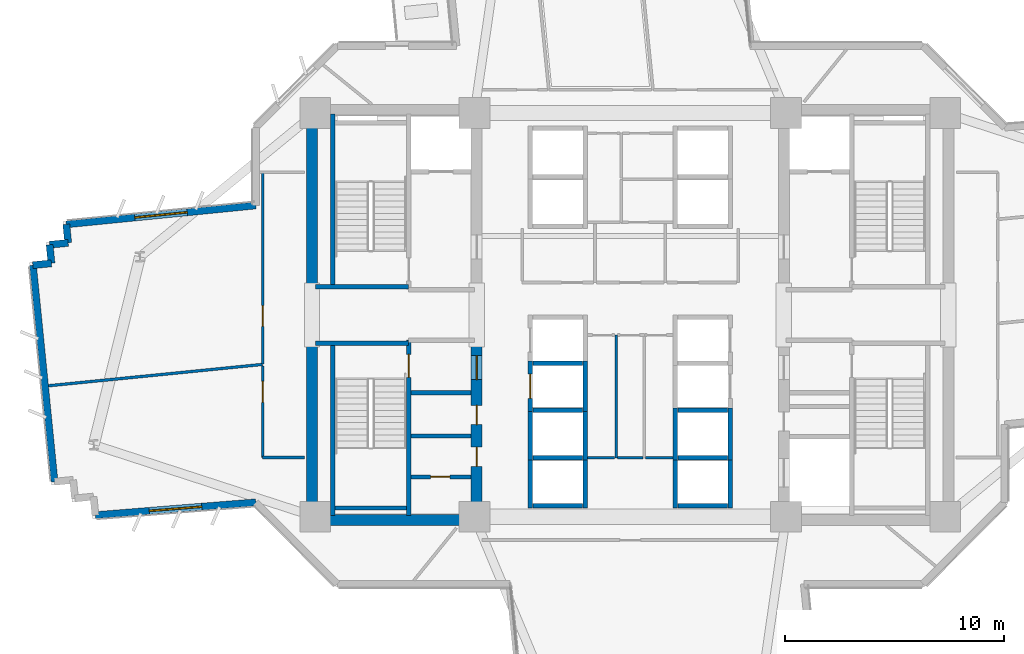
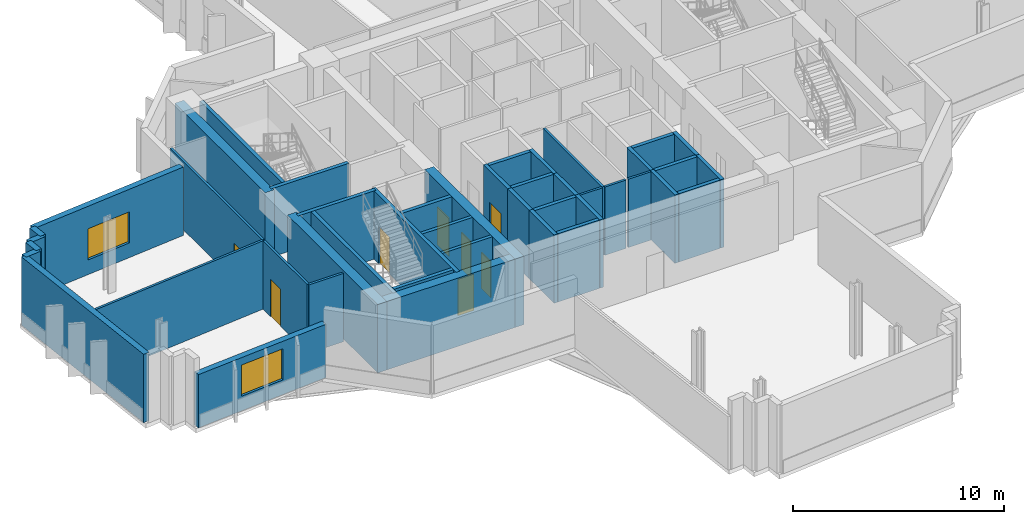
# One storey, part 6 of 14: 45 walls, 8 doors, 2 windows, 10 openings.
"""IFC4 building model written with IfcOpenShell, lengths in metres."""

from ifc_helpers import new_model, si_unit, direction, frame, frame_2d, origin, place, context, subcontext, project, spatial, rectangle, extrude, source, transform, mapped, material, layer, layer_set, type_object, element, fill, save


model = new_model("IFC4")

# Units and contexts
model_context = context("Model", 3, precision=1e-05, world=origin(), true_north=direction((0.0, 1.0)))
body_context = subcontext(model_context, "Body", "Model", "MODEL_VIEW")
ifc_project = project(units=[si_unit("LENGTHUNIT", "METRE"), si_unit("AREAUNIT", "SQUARE_METRE"), si_unit("VOLUMEUNIT", "CUBIC_METRE"), si_unit("PLANEANGLEUNIT", "RADIAN"), si_unit("MASSUNIT", "GRAM", prefix="KILO")], contexts=[model_context])

# Site, building, storey
site_placement = place(None, origin())
site = spatial("IfcSite", under=ifc_project, at=site_placement, CompositionType="ELEMENT")
building_placement = place(site_placement, origin())
building = spatial("IfcBuilding", under=site, at=building_placement, Name="Zahravan Cultural Tower", CompositionType="ELEMENT")
storey_placement = place(building_placement, frame((0.0, 0.0, 96.300048828125)))
storey = spatial("IfcBuildingStorey", under=building, at=storey_placement, Name="L21", CompositionType="ELEMENT", Elevation=96.300048828125)

# Wall, openings, doors
ifc_material_1 = material(Name="Concrete C60/75", Category="concrete")
ifc_layer_1 = layer(ifc_material_1, 0.5)
ifc_layer_set_1 = layer_set([ifc_layer_1], Name="Concrete C60/75")
wall_type_1 = type_object("IfcWallType", Name="CW-SHEAR-500-C60", PredefinedType="SHEAR", material=ifc_layer_set_1)
wall_1_placement = place(storey_placement, frame((29.0, 17.39990234375, 0.0), z_axis=(0.0, 0.0, 1.0), x_axis=(0.0, 1.0, 0.0)))
wall_1 = element("IfcWall", 1, at=wall_1_placement, inside=storey, type_object=wall_type_1, Name="L21 Core Shear Wall CW-W-ES-L21", PredefinedType="SHEAR", context=body_context, shape_type="SweptSolid", body=[
    extrude(rectangle(XDim=8.550048828125, YDim=0.5, at=frame_2d((4.27490234375, 0.0))), origin(), (0.0, 0.0, 1.0), 3.949951171875),
])
opening_1_placement = place(wall_1_placement, frame((6.64990234375, 0.0, 0.0)))
opening_1 = element("IfcOpeningElement", 2, at=opening_1_placement, cuts=wall_1, Name="Opening D-L21-07", PredefinedType="OPENING", context=body_context, shape_type="SweptSolid", body=[
    extrude(rectangle(XDim=1.10009765625, YDim=2.199951171875, at=frame_2d((0.550048828125, 1.10009765625))), frame((0.0, 0.260009765625, 0.0), z_axis=(0.0, -1.0, 0.0), x_axis=(1.0, 0.0, 0.0)), (0.0, 0.0, 1.0), 0.52001953125),
])
opening_2_placement = place(wall_1_placement, frame((2.699951171875, 0.0, 0.0)))
opening_2 = element("IfcOpeningElement", 3, at=opening_2_placement, cuts=wall_1, Name="Opening D-L21-10", PredefinedType="OPENING", context=body_context, shape_type="SweptSolid", body=[
    extrude(rectangle(XDim=0.8798828125, YDim=2.10009765625, at=frame_2d((0.43994140625, 1.050048828125))), frame((0.0, 0.260009765625, 0.0), z_axis=(0.0, -1.0, 0.0), x_axis=(1.0, 0.0, 0.0)), (0.0, 0.0, 1.0), 0.52001953125),
])
opening_3_placement = place(wall_1_placement, frame((4.60009765625, 0.0, 0.0)))
opening_3 = element("IfcOpeningElement", 4, at=opening_3_placement, cuts=wall_1, Name="Opening D-L21-11", PredefinedType="OPENING", context=body_context, shape_type="SweptSolid", body=[
    extrude(rectangle(XDim=0.8798828125, YDim=2.10009765625, at=frame_2d((0.43994140625, 1.050048828125))), frame((0.0, 0.260009765625, 0.0), z_axis=(0.0, -1.0, 0.0), x_axis=(1.0, 0.0, 0.0)), (0.0, 0.0, 1.0), 0.52001953125),
])
ifc_material_2 = material(Name="Steel ASTM A572 Grade 50", Category="steel")
door_type_1 = type_object("IfcDoorType", Name="DR-LOBBY-1100", OperationType="NOTDEFINED", PredefinedType="DOOR", material=ifc_material_2)
shared_shape_1 = source(origin(), body_context, "Body", "SweptSolid", [
    extrude(rectangle(XDim=1.10009765625, YDim=2.199951171875, at=frame_2d((0.550048828125, 1.10009765625))), frame((0.0, 0.02490234375, 0.0), z_axis=(0.0, -1.0, 0.0), x_axis=(1.0, 0.0, 0.0)), (0.0, 0.0, 1.0), 0.050048828125),
])
door_1_placement = place(opening_1_placement, origin())
door_1 = element("IfcDoor", 5, at=door_1_placement, inside=storey, type_object=door_type_1, Name="L21 Door D-L21-07", OperationType="SINGLE_SWING_RIGHT", OverallHeight=2.199951171875, OverallWidth=1.10009765625, PredefinedType="DOOR", context=body_context, shape_type="MappedRepresentation", body=[
    mapped(shared_shape_1, transform((0.0, 0.0, 0.0), x_axis=(1.0, 0.0, 0.0), y_axis=(0.0, 1.0, 0.0), z_axis=(0.0, 0.0, 1.0), scale=1.0)),
])
fill(opening_1, door_1)
door_type_2 = type_object("IfcDoorType", Name="DR-SVC-880", OperationType="NOTDEFINED", PredefinedType="DOOR", material=ifc_material_2)
shared_shape_2 = source(origin(), body_context, "Body", "SweptSolid", [
    extrude(rectangle(XDim=0.8798828125, YDim=2.10009765625, at=frame_2d((0.43994140625, 1.050048828125))), frame((0.0, 0.02490234375, 0.0), z_axis=(0.0, -1.0, 0.0), x_axis=(1.0, 0.0, 0.0)), (0.0, 0.0, 1.0), 0.050048828125),
])
door_2_placement = place(opening_2_placement, origin())
door_2 = element("IfcDoor", 6, at=door_2_placement, inside=storey, type_object=door_type_2, Name="L21 Door D-L21-10", OperationType="SINGLE_SWING_LEFT", OverallHeight=2.10009765625, OverallWidth=0.8798828125, PredefinedType="DOOR", context=body_context, shape_type="MappedRepresentation", body=[
    mapped(shared_shape_2, transform((0.0, 0.0, 0.0), x_axis=(1.0, 0.0, 0.0), y_axis=(0.0, 1.0, 0.0), z_axis=(0.0, 0.0, 1.0), scale=1.0)),
])
fill(opening_2, door_2)
door_3_placement = place(opening_3_placement, origin())
door_3 = element("IfcDoor", 7, at=door_3_placement, inside=storey, type_object=door_type_2, Name="L21 Door D-L21-11", OperationType="SINGLE_SWING_RIGHT", OverallHeight=2.10009765625, OverallWidth=0.8798828125, PredefinedType="DOOR", context=body_context, shape_type="MappedRepresentation", body=[
    mapped(shared_shape_2, transform((0.0, 0.0, 0.0), x_axis=(1.0, 0.0, 0.0), y_axis=(0.0, 1.0, 0.0), z_axis=(0.0, 0.0, 1.0), scale=1.0)),
])
fill(opening_3, door_3)

# Wall, opening, window
ifc_material_3 = material(Name="Precast concrete C40/50", Category="concrete")
ifc_layer_2 = layer(ifc_material_3, 0.320068359375)
ifc_layer_set_2 = layer_set([ifc_layer_2], Name="Precast concrete C40/50")
wall_type_2 = type_object("IfcWallType", Name="EW-TC-320", PredefinedType="SOLIDWALL", material=ifc_layer_set_2)
wall_2_placement = place(storey_placement, frame((18.93994140625, 18.4580078125, 0.0), z_axis=(0.0, 0.0, 1.0), x_axis=(-0.996827539556, -0.079591811023, 0.0)))
wall_2 = element("IfcWall", 8, at=wall_2_placement, inside=storey, type_object=wall_type_2, Name="L21 Exterior Masonry Frame Wall 01", PredefinedType="SOLIDWALL", context=body_context, shape_type="SweptSolid", body=[
    extrude(rectangle(XDim=7.337158203125, YDim=0.320068359375, at=frame_2d((3.66845703125, 0.0))), origin(), (0.0, 0.0, 1.0), 3.079833984375),
])
opening_4_placement = place(wall_2_placement, frame((2.468994140625, 0.0, 0.85009765625)))
opening_4 = element("IfcOpeningElement", 9, at=opening_4_placement, cuts=wall_2, Name="Opening WN-01", PredefinedType="OPENING", context=body_context, shape_type="SweptSolid", body=[
    extrude(rectangle(XDim=2.39990234375, YDim=1.800048828125, at=frame_2d((1.199951171875, 0.89990234375))), frame((0.0, 0.169921875, 0.0), z_axis=(0.0, -1.0, 0.0), x_axis=(1.0, 0.0, 0.0)), (0.0, 0.0, 1.0), 0.340087890625),
])
ifc_material_4 = material(Name="Low-E solar-control double glazing", Category="glass")
window_type = type_object("IfcWindowType", Name="WN-REC-2400X1800", PartitioningType="DOUBLE_PANEL_VERTICAL", PredefinedType="WINDOW", material=ifc_material_4)
shared_shape_3 = source(origin(), body_context, "Body", "SweptSolid", [
    extrude(rectangle(XDim=2.39990234375, YDim=1.800048828125, at=frame_2d((1.199951171875, 0.89990234375))), frame((0.0, 0.030029296875, 0.0), z_axis=(0.0, -1.0, 0.0), x_axis=(1.0, 0.0, 0.0)), (0.0, 0.0, 1.0), 0.06005859375),
])
window_1_placement = place(opening_4_placement, origin())
window_1 = element("IfcWindow", 10, at=window_1_placement, inside=storey, type_object=window_type, Name="L21 Recessed Solar Window 01", OverallHeight=1.800048828125, OverallWidth=2.39990234375, PartitioningType="DOUBLE_PANEL_VERTICAL", PredefinedType="WINDOW", context=body_context, shape_type="MappedRepresentation", body=[
    mapped(shared_shape_3, transform((0.0, 0.0, 0.0), x_axis=(1.0, 0.0, 0.0), y_axis=(0.0, 1.0, 0.0), z_axis=(0.0, 0.0, 1.0), scale=1.0)),
])
fill(opening_4, window_1)

wall_3_placement = place(storey_placement, frame((10.302978515625, 31.128173828125, 0.0), z_axis=(0.0, 0.0, 1.0), x_axis=(0.995055831351, 0.099317130918, 0.0)))
wall_3 = element("IfcWall", 11, at=wall_3_placement, inside=storey, type_object=wall_type_2, Name="L21 Exterior Masonry Frame Wall 11", PredefinedType="SOLIDWALL", context=body_context, shape_type="SweptSolid", body=[
    extrude(rectangle(XDim=8.679931640625, YDim=0.320068359375, at=frame_2d((4.33984375, 0.0))), origin(), (0.0, 0.0, 1.0), 3.949951171875),
])
opening_5_placement = place(wall_3_placement, frame((3.139892578125, 0.0, 0.85009765625)))
opening_5 = element("IfcOpeningElement", 12, at=opening_5_placement, cuts=wall_3, Name="Opening WN-01", PredefinedType="OPENING", context=body_context, shape_type="SweptSolid", body=[
    extrude(rectangle(XDim=2.39990234375, YDim=1.800048828125, at=frame_2d((1.199951171875, 0.89990234375))), frame((0.0, 0.169921875, 0.0), z_axis=(0.0, -1.0, 0.0), x_axis=(1.0, 0.0, 0.0)), (0.0, 0.0, 1.0), 0.340087890625),
])
window_2_placement = place(opening_5_placement, origin())
window_2 = element("IfcWindow", 13, at=window_2_placement, inside=storey, type_object=window_type, Name="L21 Recessed Solar Window 02", OverallHeight=1.800048828125, OverallWidth=2.39990234375, PartitioningType="DOUBLE_PANEL_VERTICAL", PredefinedType="WINDOW", context=body_context, shape_type="MappedRepresentation", body=[
    mapped(shared_shape_3, transform((0.0, 0.0, 0.0), x_axis=(1.0, 0.0, 0.0), y_axis=(0.0, 1.0, 0.0), z_axis=(0.0, 0.0, 1.0), scale=1.0)),
])
fill(opening_5, window_2)

# Wall, opening, door
ifc_material_5 = material(Name="Gypsum plasterboard partition")
ifc_layer_3 = layer(ifc_material_5, 0.179931640625)
ifc_layer_set_3 = layer_set([ifc_layer_3], Name="Gypsum plasterboard partition")
wall_type_3 = type_object("IfcWallType", Name="W-COMP-180", PredefinedType="PARTITIONING", material=ifc_layer_set_3)
wall_4_placement = place(storey_placement, frame((26.0, 19.6201171875, 0.0), z_axis=(0.0, 0.0, 1.0), x_axis=(1.0, 0.0, 0.0)))
wall_4 = element("IfcWall", 14, at=wall_4_placement, inside=storey, type_object=wall_type_3, Name="L21 Interior Wall 026", PredefinedType="PARTITIONING", context=body_context, shape_type="SweptSolid", body=[
    extrude(rectangle(XDim=2.75, YDim=0.179931640625, at=frame_2d((1.375, 0.0))), origin(), (0.0, 0.0, 1.0), 3.949951171875),
])
opening_6_placement = place(wall_4_placement, frame((0.89990234375, 0.0, 0.0)))
opening_6 = element("IfcOpeningElement", 15, at=opening_6_placement, cuts=wall_4, Name="Opening D-L21-09", PredefinedType="OPENING", context=body_context, shape_type="SweptSolid", body=[
    extrude(rectangle(XDim=0.8798828125, YDim=2.10009765625, at=frame_2d((0.43994140625, 1.050048828125))), frame((0.0, 0.099853515625, 0.0), z_axis=(0.0, -1.0, 0.0), x_axis=(1.0, 0.0, 0.0)), (0.0, 0.0, 1.0), 0.199951171875),
])
door_4_placement = place(opening_6_placement, origin())
door_4 = element("IfcDoor", 16, at=door_4_placement, inside=storey, type_object=door_type_2, Name="L21 Door D-L21-09", OperationType="SINGLE_SWING_RIGHT", OverallHeight=2.10009765625, OverallWidth=0.8798828125, PredefinedType="DOOR", context=body_context, shape_type="MappedRepresentation", body=[
    mapped(shared_shape_2, transform((0.0, 0.0, 0.0), x_axis=(1.0, 0.0, 0.0), y_axis=(0.0, 1.0, 0.0), z_axis=(0.0, 0.0, 1.0), scale=1.0)),
])
fill(opening_6, door_4)

ifc_layer_4 = layer(ifc_material_5, 0.125)
ifc_layer_set_4 = layer_set([ifc_layer_4], Name="Gypsum plasterboard partition")
wall_type_4 = type_object("IfcWallType", Name="W-PART-125", PredefinedType="PARTITIONING", material=ifc_layer_set_4)
wall_5_placement = place(storey_placement, frame((19.25, 24.677490234375, 0.0), z_axis=(0.0, 0.0, 1.0), x_axis=(0.000116979586, -0.999999993158, 0.0)))
wall_5 = element("IfcWall", 17, at=wall_5_placement, inside=storey, type_object=wall_type_4, Name="L21 Interior Wall 108", PredefinedType="PARTITIONING", context=body_context, shape_type="SweptSolid", body=[
    extrude(rectangle(XDim=4.174072265625, YDim=0.125, at=frame_2d((2.0869140625, 0.0))), origin(), (0.0, 0.0, 1.0), 3.949951171875),
])
opening_7_placement = place(wall_5_placement, frame((0.709228515625, 0.0, 0.0)))
opening_7 = element("IfcOpeningElement", 18, at=opening_7_placement, cuts=wall_5, Name="Opening D-L21-28", PredefinedType="OPENING", context=body_context, shape_type="SweptSolid", body=[
    extrude(rectangle(XDim=0.949951171875, YDim=2.14990234375, at=frame_2d((0.47509765625, 1.074951171875))), frame((0.0, 0.072509765625, 0.0), z_axis=(0.0, -1.0, 0.0), x_axis=(1.0, 0.0, 0.0)), (0.0, 0.0, 1.0), 0.14501953125),
])
ifc_material_6 = material(Name="Anodised bronze-aluminium mullion", Category="aluminium")
door_type_3 = type_object("IfcDoorType", Name="DR-ROOM-950", OperationType="NOTDEFINED", PredefinedType="DOOR", material=ifc_material_6)
shared_shape_4 = source(origin(), body_context, "Body", "SweptSolid", [
    extrude(rectangle(XDim=0.949951171875, YDim=2.14990234375, at=frame_2d((0.47509765625, 1.074951171875))), frame((0.0, 0.02490234375, 0.0), z_axis=(0.0, -1.0, 0.0), x_axis=(1.0, 0.0, 0.0)), (0.0, 0.0, 1.0), 0.050048828125),
])
door_5_placement = place(opening_7_placement, origin())
door_5 = element("IfcDoor", 19, at=door_5_placement, inside=storey, type_object=door_type_3, Name="L21 Door D-L21-28", OperationType="SINGLE_SWING_LEFT", OverallHeight=2.14990234375, OverallWidth=0.949951171875, PredefinedType="DOOR", context=body_context, shape_type="MappedRepresentation", body=[
    mapped(shared_shape_4, transform((0.0, 0.0, 0.0), x_axis=(1.0, 0.0, 0.0), y_axis=(0.0, 1.0, 0.0), z_axis=(0.0, 0.0, 1.0), scale=1.0)),
])
fill(opening_7, door_5)

wall_6_placement = place(storey_placement, frame((19.252685546875, 33.497314453125, 0.0), z_axis=(0.0, 0.0, 1.0), x_axis=(-0.000307554646, -0.999999952705, 0.0)))
wall_6 = element("IfcWall", 20, at=wall_6_placement, inside=storey, type_object=wall_type_4, Name="L21 Interior Wall 112", PredefinedType="PARTITIONING", context=body_context, shape_type="SweptSolid", body=[
    extrude(rectangle(XDim=8.73193359375, YDim=0.125, at=frame_2d((4.365966796875, 0.0))), origin(), (0.0, 0.0, 1.0), 3.949951171875),
])
opening_8_placement = place(wall_6_placement, frame((6.06982421875, 0.0, 0.0)))
opening_8 = element("IfcOpeningElement", 21, at=opening_8_placement, cuts=wall_6, Name="Opening D-L21-27", PredefinedType="OPENING", context=body_context, shape_type="SweptSolid", body=[
    extrude(rectangle(XDim=0.949951171875, YDim=2.14990234375, at=frame_2d((0.47509765625, 1.074951171875))), frame((0.0, 0.072509765625, 0.0), z_axis=(0.0, -1.0, 0.0), x_axis=(1.0, 0.0, 0.0)), (0.0, 0.0, 1.0), 0.14501953125),
])
door_6_placement = place(opening_8_placement, origin())
door_6 = element("IfcDoor", 22, at=door_6_placement, inside=storey, type_object=door_type_3, Name="L21 Door D-L21-27", OperationType="SINGLE_SWING_RIGHT", OverallHeight=2.14990234375, OverallWidth=0.949951171875, PredefinedType="DOOR", context=body_context, shape_type="MappedRepresentation", body=[
    mapped(shared_shape_4, transform((0.0, 0.0, 0.0), x_axis=(1.0, 0.0, 0.0), y_axis=(0.0, 1.0, 0.0), z_axis=(0.0, 0.0, 1.0), scale=1.0)),
])
fill(opening_8, door_6)

ifc_material_7 = material(Name="Concrete C45/55", Category="concrete")
ifc_layer_5 = layer(ifc_material_7, 0.199951171875)
ifc_layer_set_5 = layer_set([ifc_layer_5], Name="Concrete C45/55")
wall_type_5 = type_object("IfcWallType", Name="W-SHAFT-200", PredefinedType="SOLIDWALL", material=ifc_layer_set_5)
wall_7_placement = place(storey_placement, frame((25.89990234375, 17.85009765625, 0.0), z_axis=(0.0, 0.0, 1.0), x_axis=(0.0, 1.0, 0.0)))
wall_7 = element("IfcWall", 23, at=wall_7_placement, inside=storey, type_object=wall_type_5, Name="L21 Interior Wall 005", PredefinedType="SOLIDWALL", context=body_context, shape_type="SweptSolid", body=[
    extrude(rectangle(XDim=8.0, YDim=0.199951171875, at=frame_2d((4.0, 0.0))), origin(), (0.0, 0.0, 1.0), 3.949951171875),
])
opening_9_placement = place(wall_7_placement, frame((6.300048828125, 0.0, 0.0)))
opening_9 = element("IfcOpeningElement", 24, at=opening_9_placement, cuts=wall_7, Name="Opening D-L21-04", PredefinedType="OPENING", context=body_context, shape_type="SweptSolid", body=[
    extrude(rectangle(XDim=1.050048828125, YDim=2.14990234375, at=frame_2d((0.52490234375, 1.074951171875))), frame((0.0, 0.10986328125, 0.0), z_axis=(0.0, -1.0, 0.0), x_axis=(1.0, 0.0, 0.0)), (0.0, 0.0, 1.0), 0.219970703125),
])
door_type_4 = type_object("IfcDoorType", Name="DR-STAIR-1050", OperationType="NOTDEFINED", PredefinedType="DOOR", material=ifc_material_2)
shared_shape_5 = source(origin(), body_context, "Body", "SweptSolid", [
    extrude(rectangle(XDim=1.050048828125, YDim=2.14990234375, at=frame_2d((0.52490234375, 1.074951171875))), frame((0.0, 0.02490234375, 0.0), z_axis=(0.0, -1.0, 0.0), x_axis=(1.0, 0.0, 0.0)), (0.0, 0.0, 1.0), 0.050048828125),
])
door_7_placement = place(opening_9_placement, origin())
door_7 = element("IfcDoor", 25, at=door_7_placement, inside=storey, type_object=door_type_4, Name="L21 Door D-L21-04", OperationType="SINGLE_SWING_LEFT", OverallHeight=2.14990234375, OverallWidth=1.050048828125, PredefinedType="DOOR", context=body_context, shape_type="MappedRepresentation", body=[
    mapped(shared_shape_5, transform((0.0, 0.0, 0.0), x_axis=(1.0, 0.0, 0.0), y_axis=(0.0, 1.0, 0.0), z_axis=(0.0, 0.0, 1.0), scale=1.0)),
])
fill(opening_9, door_7)

wall_8_placement = place(storey_placement, frame((31.449951171875, 22.60009765625, 0.0), z_axis=(0.0, 0.0, 1.0), x_axis=(0.0, 1.0, 0.0)))
wall_8 = element("IfcWall", 26, at=wall_8_placement, inside=storey, type_object=wall_type_5, Name="L21 Interior Wall 061", PredefinedType="SOLIDWALL", context=body_context, shape_type="SweptSolid", body=[
    extrude(rectangle(XDim=2.2998046875, YDim=0.199951171875, at=frame_2d((1.14990234375, 0.0))), origin(), (0.0, 0.0, 1.0), 3.949951171875),
])
opening_10_placement = place(wall_8_placement, frame((0.60009765625, 0.0, 0.0)))
opening_10 = element("IfcOpeningElement", 27, at=opening_10_placement, cuts=wall_8, Name="Opening LD-L21-05", PredefinedType="OPENING", context=body_context, shape_type="SweptSolid", body=[
    extrude(rectangle(XDim=1.10009765625, YDim=2.14990234375, at=frame_2d((0.550048828125, 1.074951171875))), frame((0.0, 0.10986328125, 0.0), z_axis=(0.0, -1.0, 0.0), x_axis=(1.0, 0.0, 0.0)), (0.0, 0.0, 1.0), 0.219970703125),
])
door_type_5 = type_object("IfcDoorType", Name="DR-LIFT-1100", OperationType="DOUBLE_DOOR_SLIDING", PredefinedType="DOOR", material=ifc_material_2)
shared_shape_6 = source(origin(), body_context, "Body", "SweptSolid", [
    extrude(rectangle(XDim=1.10009765625, YDim=2.14990234375, at=frame_2d((0.550048828125, 1.074951171875))), frame((0.0, 0.02490234375, 0.0), z_axis=(0.0, -1.0, 0.0), x_axis=(1.0, 0.0, 0.0)), (0.0, 0.0, 1.0), 0.050048828125),
])
door_8_placement = place(opening_10_placement, origin())
door_8 = element("IfcDoor", 28, at=door_8_placement, inside=storey, type_object=door_type_5, Name="L21 Door LD-L21-05", OperationType="DOUBLE_DOOR_SLIDING", OverallHeight=2.14990234375, OverallWidth=1.10009765625, PredefinedType="DOOR", context=body_context, shape_type="MappedRepresentation", body=[
    mapped(shared_shape_6, transform((0.0, 0.0, 0.0), x_axis=(1.0, 0.0, 0.0), y_axis=(0.0, 1.0, 0.0), z_axis=(0.0, 0.0, 1.0), scale=1.0)),
])
fill(opening_10, door_8)

# Walls
shared_shape_7 = source(origin(), body_context, "Body", "SweptSolid", [
    extrude(rectangle(XDim=8.550048828125, YDim=0.5, at=frame_2d((4.27490234375, 0.0))), origin(), (0.0, 0.0, 1.0), 3.949951171875),
])
for number, where, z_axis, x_axis, name in (
    (29, (21.5, 17.39990234375, 0.0), (0.0, 0.0, 1.0), (0.0, 1.0, 0.0), "L21 Core Shear Wall CW-W-WS-L21"),
    (30, (21.5, 28.050048828125, 0.0), (0.0, 0.0, 1.0), (0.0, 1.0, 0.0), "L21 Core Shear Wall CW-W-WN-L21"),
):
    element("IfcWall", number, at=place(storey_placement, frame(where, z_axis=z_axis, x_axis=x_axis)), inside=storey, type_object=wall_type_1, Name=name, PredefinedType="SHEAR", context=body_context, shape_type="MappedRepresentation", body=[
        mapped(shared_shape_7, transform((0.0, 0.0, 0.0), x_axis=(1.0, 0.0, 0.0), y_axis=(0.0, 1.0, 0.0), z_axis=(0.0, 0.0, 1.0), scale=1.0)),
    ])
shared_shape_8 = source(origin(), body_context, "Body", "SweptSolid", [
    extrude(rectangle(XDim=7.0, YDim=0.5, at=frame_2d((3.5, 0.0))), origin(), (0.0, 0.0, 1.0), 3.949951171875),
])
wall_9_placement = place(storey_placement, frame((21.75, 17.64990234375, 0.0), z_axis=(0.0, 0.0, 1.0), x_axis=(1.0, 0.0, 0.0)))
element("IfcWall", 31, at=wall_9_placement, inside=storey, type_object=wall_type_1, Name="L21 Core Shear Wall CW-W-S-L21", PredefinedType="SHEAR", context=body_context, shape_type="MappedRepresentation", body=[
    mapped(shared_shape_8, transform((0.0, 0.0, 0.0), x_axis=(1.0, 0.0, 0.0), y_axis=(0.0, 1.0, 0.0), z_axis=(0.0, 0.0, 1.0), scale=1.0)),
])
shared_shape_9 = source(origin(), body_context, "Body", "SweptSolid", [
    extrude(rectangle(XDim=0.849853515625, YDim=0.320068359375, at=frame_2d((0.4248046875, 0.0))), origin(), (0.0, 0.0, 1.0), 3.949951171875),
])
for number, where, z_axis, x_axis, name in (
    (32, (8.7802734375, 29.267822265625, 0.0), (0.0, 0.0, 1.0), (0.995048560111, 0.09938995433, 0.0), "L21 Exterior Masonry Frame Wall 07"),
    (33, (9.6259765625, 29.352294921875, 0.0), (0.0, 0.0, 1.0), (-0.09938995433, 0.995048560111, 0.0), "L21 Exterior Masonry Frame Wall 08"),
    (34, (9.54150390625, 30.197998046875, 0.0), (0.0, 0.0, 1.0), (0.995048560111, 0.09938995433, 0.0), "L21 Exterior Masonry Frame Wall 09"),
    (35, (10.38720703125, 30.282470703125, 0.0), (0.0, 0.0, 1.0), (-0.099105525559, 0.995076929088, 0.0), "L21 Exterior Masonry Frame Wall 10"),
):
    element("IfcWall", number, at=place(storey_placement, frame(where, z_axis=z_axis, x_axis=x_axis)), inside=storey, type_object=wall_type_2, Name=name, PredefinedType="SOLIDWALL", context=body_context, shape_type="MappedRepresentation", body=[
        mapped(shared_shape_9, transform((0.0, 0.0, 0.0), x_axis=(1.0, 0.0, 0.0), y_axis=(0.0, 1.0, 0.0), z_axis=(0.0, 0.0, 1.0), scale=1.0)),
    ])
shared_shape_10 = source(origin(), body_context, "Body", "SweptSolid", [
    extrude(rectangle(XDim=9.920166015625, YDim=0.320068359375, at=frame_2d((4.9599609375, 0.0))), origin(), (0.0, 0.0, 1.0), 3.949951171875),
])
wall_10_placement = place(storey_placement, frame((9.765380859375, 19.396728515625, 0.0), z_axis=(0.0, 0.0, 1.0), x_axis=(-0.099303907908, 0.995057151059, 0.0)))
element("IfcWall", 36, at=wall_10_placement, inside=storey, type_object=wall_type_2, Name="L21 Exterior Masonry Frame Wall 06", PredefinedType="SOLIDWALL", context=body_context, shape_type="MappedRepresentation", body=[
    mapped(shared_shape_10, transform((0.0, 0.0, 0.0), x_axis=(1.0, 0.0, 0.0), y_axis=(0.0, 1.0, 0.0), z_axis=(0.0, 0.0, 1.0), scale=1.0)),
])
shared_shape_11 = source(origin(), body_context, "Body", "SweptSolid", [
    extrude(rectangle(XDim=7.869873046875, YDim=0.199951171875, at=frame_2d((3.93505859375, 0.0))), origin(), (0.0, 0.0, 1.0), 3.949951171875),
])
for number, where, z_axis, x_axis, name in (
    (37, (22.449951171875, 17.85009765625, 0.0), (0.0, 0.0, 1.0), (0.0, 1.0, 0.0), "L21 Interior Wall 001"),
    (38, (22.449951171875, 28.280029296875, 0.0), (0.0, 0.0, 1.0), (0.0, 1.0, 0.0), "L21 Interior Wall 002"),
):
    element("IfcWall", number, at=place(storey_placement, frame(where, z_axis=z_axis, x_axis=x_axis)), inside=storey, type_object=wall_type_5, Name=name, PredefinedType="SOLIDWALL", context=body_context, shape_type="MappedRepresentation", body=[
        mapped(shared_shape_11, transform((0.0, 0.0, 0.0), x_axis=(1.0, 0.0, 0.0), y_axis=(0.0, 1.0, 0.0), z_axis=(0.0, 0.0, 1.0), scale=1.0)),
    ])
shared_shape_12 = source(origin(), body_context, "Body", "SweptSolid", [
    extrude(rectangle(XDim=4.25, YDim=0.199951171875, at=frame_2d((2.125, 0.0))), origin(), (0.0, 0.0, 1.0), 3.949951171875),
])
for number, where, z_axis, x_axis, name in (
    (39, (21.64990234375, 25.715087890625, 0.0), (0.0, 0.0, 1.0), (1.0, 0.0, 0.0), "L21 Interior Wall 009"),
    (40, (21.64990234375, 28.284912109375, 0.0), (0.0, 0.0, 1.0), (1.0, 0.0, 0.0), "L21 Interior Wall 011"),
):
    element("IfcWall", number, at=place(storey_placement, frame(where, z_axis=z_axis, x_axis=x_axis)), inside=storey, type_object=wall_type_5, Name=name, PredefinedType="SOLIDWALL", context=body_context, shape_type="MappedRepresentation", body=[
        mapped(shared_shape_12, transform((0.0, 0.0, 0.0), x_axis=(1.0, 0.0, 0.0), y_axis=(0.0, 1.0, 0.0), z_axis=(0.0, 0.0, 1.0), scale=1.0)),
    ])
shared_shape_13 = source(origin(), body_context, "Body", "SweptSolid", [
    extrude(rectangle(XDim=3.25, YDim=0.199951171875, at=frame_2d((1.625, 0.0))), origin(), (0.0, 0.0, 1.0), 3.949951171875),
])
wall_11_placement = place(storey_placement, frame((22.550048828125, 18.199951171875, 0.0), z_axis=(0.0, 0.0, 1.0), x_axis=(1.0, 0.0, 0.0)))
element("IfcWall", 41, at=wall_11_placement, inside=storey, type_object=wall_type_5, Name="L21 Interior Wall 019", PredefinedType="SOLIDWALL", context=body_context, shape_type="MappedRepresentation", body=[
    mapped(shared_shape_13, transform((0.0, 0.0, 0.0), x_axis=(1.0, 0.0, 0.0), y_axis=(0.0, 1.0, 0.0), z_axis=(0.0, 0.0, 1.0), scale=1.0)),
])
shared_shape_14 = source(origin(), body_context, "Body", "SweptSolid", [
    extrude(rectangle(XDim=2.75, YDim=0.199951171875, at=frame_2d((1.375, 0.0))), origin(), (0.0, 0.0, 1.0), 3.949951171875),
])
wall_12_placement = place(storey_placement, frame((26.0, 23.449951171875, 0.0), z_axis=(0.0, 0.0, 1.0), x_axis=(1.0, 0.0, 0.0)))
element("IfcWall", 42, at=wall_12_placement, inside=storey, type_object=wall_type_5, Name="L21 Interior Wall 023", PredefinedType="SOLIDWALL", context=body_context, shape_type="MappedRepresentation", body=[
    mapped(shared_shape_14, transform((0.0, 0.0, 0.0), x_axis=(1.0, 0.0, 0.0), y_axis=(0.0, 1.0, 0.0), z_axis=(0.0, 0.0, 1.0), scale=1.0)),
])
shared_shape_15 = source(origin(), body_context, "Body", "SweptSolid", [
    extrude(rectangle(XDim=2.260009765625, YDim=0.199951171875, at=frame_2d((1.1298828125, 0.0))), origin(), (0.0, 0.0, 1.0), 3.949951171875),
])
for number, where, z_axis, x_axis, name in (
    (43, (31.570068359375, 20.5, 0.0), (0.0, 0.0, 1.0), (1.0, 0.0, 0.0), "L21 Interior Wall 045"),
    (44, (31.570068359375, 22.64990234375, 0.0), (0.0, 0.0, 1.0), (1.0, 0.0, 0.0), "L21 Interior Wall 046"),
    (45, (31.570068359375, 18.300048828125, 0.0), (0.0, 0.0, 1.0), (1.0, 0.0, 0.0), "L21 Interior Wall 049"),
    (46, (38.169921875, 20.5, 0.0), (0.0, 0.0, 1.0), (1.0, 0.0, 0.0), "L21 Interior Wall 052"),
    (47, (38.169921875, 22.64990234375, 0.0), (0.0, 0.0, 1.0), (1.0, 0.0, 0.0), "L21 Interior Wall 053"),
    (48, (38.169921875, 18.300048828125, 0.0), (0.0, 0.0, 1.0), (1.0, 0.0, 0.0), "L21 Interior Wall 056"),
    (49, (31.570068359375, 24.800048828125, 0.0), (0.0, 0.0, 1.0), (1.0, 0.0, 0.0), "L21 Interior Wall 059"),
):
    element("IfcWall", number, at=place(storey_placement, frame(where, z_axis=z_axis, x_axis=x_axis)), inside=storey, type_object=wall_type_5, Name=name, PredefinedType="SOLIDWALL", context=body_context, shape_type="MappedRepresentation", body=[
        mapped(shared_shape_15, transform((0.0, 0.0, 0.0), x_axis=(1.0, 0.0, 0.0), y_axis=(0.0, 1.0, 0.0), z_axis=(0.0, 0.0, 1.0), scale=1.0)),
    ])
shared_shape_16 = source(origin(), body_context, "Body", "SweptSolid", [
    extrude(rectangle(XDim=2.35009765625, YDim=0.199951171875, at=frame_2d((1.175048828125, 0.0))), origin(), (0.0, 0.0, 1.0), 3.949951171875),
])
for number, where, z_axis, x_axis, name in (
    (50, (31.449951171875, 20.39990234375, 0.0), (0.0, 0.0, 1.0), (0.0, 1.0, 0.0), "L21 Interior Wall 043"),
    (51, (33.949951171875, 20.39990234375, 0.0), (0.0, 0.0, 1.0), (0.0, 1.0, 0.0), "L21 Interior Wall 044"),
    (52, (31.449951171875, 18.199951171875, 0.0), (0.0, 0.0, 1.0), (0.0, 1.0, 0.0), "L21 Interior Wall 047"),
    (53, (33.949951171875, 18.199951171875, 0.0), (0.0, 0.0, 1.0), (0.0, 1.0, 0.0), "L21 Interior Wall 048"),
    (54, (38.050048828125, 20.39990234375, 0.0), (0.0, 0.0, 1.0), (0.0, 1.0, 0.0), "L21 Interior Wall 050"),
    (55, (40.550048828125, 20.39990234375, 0.0), (0.0, 0.0, 1.0), (0.0, 1.0, 0.0), "L21 Interior Wall 051"),
    (56, (38.050048828125, 18.199951171875, 0.0), (0.0, 0.0, 1.0), (0.0, 1.0, 0.0), "L21 Interior Wall 054"),
    (57, (40.550048828125, 18.199951171875, 0.0), (0.0, 0.0, 1.0), (0.0, 1.0, 0.0), "L21 Interior Wall 055"),
):
    element("IfcWall", number, at=place(storey_placement, frame(where, z_axis=z_axis, x_axis=x_axis)), inside=storey, type_object=wall_type_5, Name=name, PredefinedType="SOLIDWALL", context=body_context, shape_type="MappedRepresentation", body=[
        mapped(shared_shape_16, transform((0.0, 0.0, 0.0), x_axis=(1.0, 0.0, 0.0), y_axis=(0.0, 1.0, 0.0), z_axis=(0.0, 0.0, 1.0), scale=1.0)),
    ])
shared_shape_17 = source(origin(), body_context, "Body", "SweptSolid", [
    extrude(rectangle(XDim=2.2998046875, YDim=0.199951171875, at=frame_2d((1.14990234375, 0.0))), origin(), (0.0, 0.0, 1.0), 3.949951171875),
])
wall_13_placement = place(storey_placement, frame((33.949951171875, 22.60009765625, 0.0), z_axis=(0.0, 0.0, 1.0), x_axis=(0.0, 1.0, 0.0)))
element("IfcWall", 58, at=wall_13_placement, inside=storey, type_object=wall_type_5, Name="L21 Interior Wall 062", PredefinedType="SOLIDWALL", context=body_context, shape_type="MappedRepresentation", body=[
    mapped(shared_shape_17, transform((0.0, 0.0, 0.0), x_axis=(1.0, 0.0, 0.0), y_axis=(0.0, 1.0, 0.0), z_axis=(0.0, 0.0, 1.0), scale=1.0)),
])
shared_shape_18 = source(origin(), body_context, "Body", "SweptSolid", [
    extrude(rectangle(XDim=2.75, YDim=0.179931640625, at=frame_2d((1.375, 0.0))), origin(), (0.0, 0.0, 1.0), 3.949951171875),
])
wall_14_placement = place(storey_placement, frame((26.0, 21.47998046875, 0.0), z_axis=(0.0, 0.0, 1.0), x_axis=(1.0, 0.0, 0.0)))
element("IfcWall", 59, at=wall_14_placement, inside=storey, type_object=wall_type_3, Name="L21 Interior Wall 027", PredefinedType="PARTITIONING", context=body_context, shape_type="MappedRepresentation", body=[
    mapped(shared_shape_18, transform((0.0, 0.0, 0.0), x_axis=(1.0, 0.0, 0.0), y_axis=(0.0, 1.0, 0.0), z_axis=(0.0, 0.0, 1.0), scale=1.0)),
])
shared_shape_19 = source(origin(), body_context, "Body", "SweptSolid", [
    extrude(rectangle(XDim=5.590087890625, YDim=0.125, at=frame_2d((2.794921875, 0.0))), origin(), (0.0, 0.0, 1.0), 3.949951171875),
])
wall_15_placement = place(storey_placement, frame((35.360107421875, 20.489990234375, 0.0), z_axis=(0.0, 0.0, 1.0), x_axis=(0.0, 1.0, 0.0)))
element("IfcWall", 60, at=wall_15_placement, inside=storey, type_object=wall_type_4, Name="L21 Interior Wall 076", PredefinedType="PARTITIONING", context=body_context, shape_type="MappedRepresentation", body=[
    mapped(shared_shape_19, transform((0.0, 0.0, 0.0), x_axis=(1.0, 0.0, 0.0), y_axis=(0.0, 1.0, 0.0), z_axis=(0.0, 0.0, 1.0), scale=1.0)),
])
shared_shape_20 = source(origin(), body_context, "Body", "SweptSolid", [
    extrude(rectangle(XDim=1.14501953125, YDim=0.125, at=frame_2d((0.572509765625, 0.0))), origin(), (0.0, 0.0, 1.0), 3.949951171875),
])
wall_16_placement = place(storey_placement, frame((36.572509765625, 20.489990234375, 0.0), z_axis=(0.0, 0.0, 1.0), x_axis=(-1.0, 0.0, 0.0)))
element("IfcWall", 61, at=wall_16_placement, inside=storey, type_object=wall_type_4, Name="L21 Interior Wall 079", PredefinedType="PARTITIONING", context=body_context, shape_type="MappedRepresentation", body=[
    mapped(shared_shape_20, transform((0.0, 0.0, 0.0), x_axis=(1.0, 0.0, 0.0), y_axis=(0.0, 1.0, 0.0), z_axis=(0.0, 0.0, 1.0), scale=1.0)),
])
shared_shape_21 = source(origin(), body_context, "Body", "SweptSolid", [
    extrude(rectangle(XDim=1.237548828125, YDim=0.125, at=frame_2d((0.61865234375, 0.0))), origin(), (0.0, 0.0, 1.0), 3.949951171875),
])
for number, where, z_axis, x_axis, name in (
    (62, (35.29248046875, 20.489990234375, 0.0), (0.0, 0.0, 1.0), (-1.0, 0.0, 0.0), "L21 Interior Wall 081"),
    (63, (37.945068359375, 20.489990234375, 0.0), (0.0, 0.0, 1.0), (-1.0, 0.0, 0.0), "L21 Interior Wall 083"),
):
    element("IfcWall", number, at=place(storey_placement, frame(where, z_axis=z_axis, x_axis=x_axis)), inside=storey, type_object=wall_type_4, Name=name, PredefinedType="PARTITIONING", context=body_context, shape_type="MappedRepresentation", body=[
        mapped(shared_shape_21, transform((0.0, 0.0, 0.0), x_axis=(1.0, 0.0, 0.0), y_axis=(0.0, 1.0, 0.0), z_axis=(0.0, 0.0, 1.0), scale=1.0)),
    ])
shared_shape_22 = source(origin(), body_context, "Body", "SweptSolid", [
    extrude(rectangle(XDim=9.803955078125, YDim=0.125, at=frame_2d((4.90185546875, 0.0))), origin(), (0.0, 0.0, 1.0), 3.949951171875),
])
wall_17_placement = place(storey_placement, frame((9.49462890625, 23.771484375, 0.0), z_axis=(0.0, 0.0, 1.0), x_axis=(0.995053942122, 0.099336057238, 0.0)))
element("IfcWall", 64, at=wall_17_placement, inside=storey, type_object=wall_type_4, Name="L21 Interior Wall 107", PredefinedType="PARTITIONING", context=body_context, shape_type="MappedRepresentation", body=[
    mapped(shared_shape_22, transform((0.0, 0.0, 0.0), x_axis=(1.0, 0.0, 0.0), y_axis=(0.0, 1.0, 0.0), z_axis=(0.0, 0.0, 1.0), scale=1.0)),
])
shared_shape_23 = source(origin(), body_context, "Body", "SweptSolid", [
    extrude(rectangle(XDim=1.89892578125, YDim=0.125, at=frame_2d((0.949462890625, 0.0))), origin(), (0.0, 0.0, 1.0), 3.949951171875),
])
wall_18_placement = place(storey_placement, frame((19.25048828125, 20.50341796875, 0.0), z_axis=(0.0, 0.0, 1.0), x_axis=(0.999999991735, 0.000128567754, 0.0)))
element("IfcWall", 65, at=wall_18_placement, inside=storey, type_object=wall_type_4, Name="L21 Interior Wall 109", PredefinedType="PARTITIONING", context=body_context, shape_type="MappedRepresentation", body=[
    mapped(shared_shape_23, transform((0.0, 0.0, 0.0), x_axis=(1.0, 0.0, 0.0), y_axis=(0.0, 1.0, 0.0), z_axis=(0.0, 0.0, 1.0), scale=1.0)),
])

save(model, "model.ifc")
